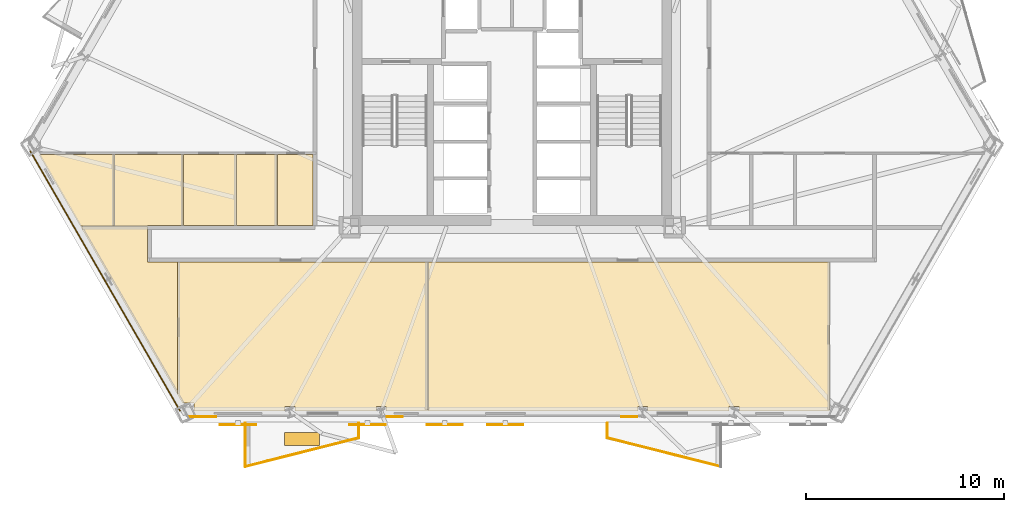
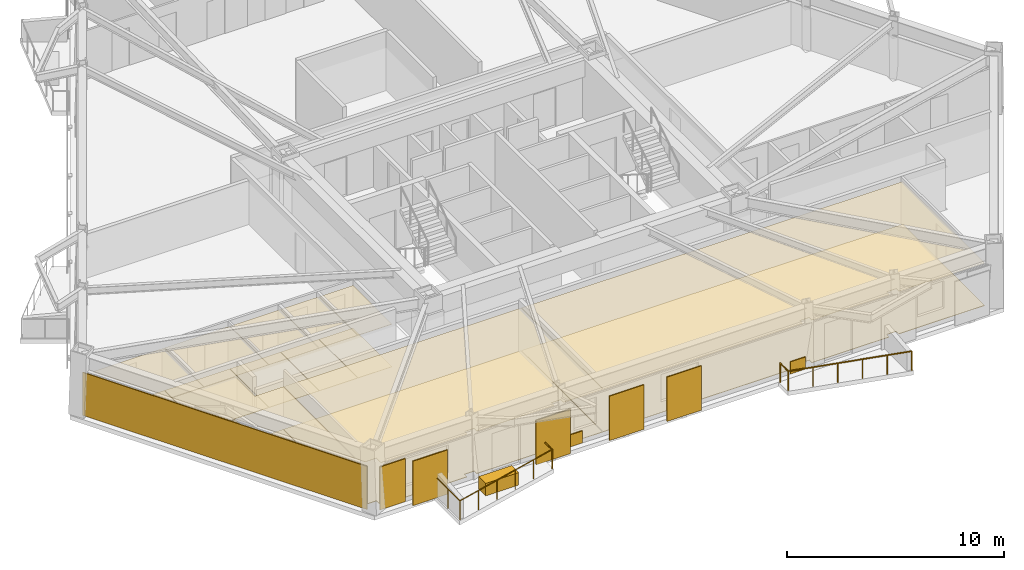
# One storey, part 7 of 12: 21 coverings, 5 railings, 4 shading devices.
"""IFC4 building model written with IfcOpenShell, lengths in metres."""

from ifc_helpers import new_model, si_unit, direction, frame, origin, origin_2d, place, context, subcontext, project, spatial, polyline, rectangle, circle, outline, extrude, material, layer, layer_set, type_object, element, save


model = new_model("IFC4")

# Units and contexts
model_context = context("Model", 3, precision=1e-05, world=origin(), true_north=direction((0.0, 1.0)))
body_context = subcontext(model_context, "Body", "Model", "MODEL_VIEW")
ifc_project = project(units=[si_unit("LENGTHUNIT", "METRE"), si_unit("AREAUNIT", "SQUARE_METRE"), si_unit("VOLUMEUNIT", "CUBIC_METRE"), si_unit("PLANEANGLEUNIT", "RADIAN"), si_unit("MASSUNIT", "GRAM", prefix="KILO")], contexts=[model_context])

# Site, building, storey
site_placement = place(None, origin())
site = spatial("IfcSite", under=ifc_project, at=site_placement, CompositionType="ELEMENT")
building_placement = place(site_placement, origin())
building = spatial("IfcBuilding", under=site, at=building_placement, Name="Oramaril Tower", CompositionType="ELEMENT")
storey_placement = place(building_placement, frame((0.0, 0.0, 34.5)))
storey = spatial("IfcBuildingStorey", under=building, at=storey_placement, Name="L08", CompositionType="ELEMENT", Elevation=34.5)

# Coverings
ifc_material_1 = material(Name="Mineral Fibre Acoustic Ceiling")
ifc_layer_1 = layer(ifc_material_1, 0.02001953125)
ifc_layer_set_1 = layer_set([ifc_layer_1], Name="CVT-CEIL")
covering_type_1 = type_object("IfcCoveringType", Name="CVT-CEIL", PredefinedType="CEILING", material=ifc_layer_set_1)
covering_1_placement = place(storey_placement, frame((0.0, 0.0, 2.39990234375)))
element("IfcCovering", 1, at=covering_1_placement, inside=storey, type_object=covering_type_1, Name="L08 Acoustic Suspended Ceiling 6", PredefinedType="CEILING", context=body_context, shape_type="SweptSolid", body=[
    extrude(outline(polyline([(31.152099609375, 1.910888671875), (30.65869140625, 1.910888671875), (30.65869140625, 1.67822265625), (26.54296875, 1.67822265625), (26.54296875, 1.910888671875), (26.03564453125, 1.910888671875), (26.03564453125, 1.67822265625), (21.4580078125, 1.67822265625), (21.4580078125, 2.09375), (20.860595703125, 2.09375), (20.627197265625, 2.498291015625), (20.627197265625, 9.199951171875), (33.241943359375, 9.199951171875), (33.241943359375, 1.67822265625), (31.152099609375, 1.67822265625), (31.152099609375, 1.910888671875)])), origin(), (0.0, 0.0, 1.0), 0.02001953125),
])
covering_2_placement = place(storey_placement, frame((0.0, 0.0, 2.39990234375)))
element("IfcCovering", 2, at=covering_2_placement, inside=storey, type_object=covering_type_1, Name="L08 Acoustic Suspended Ceiling 7", PredefinedType="CEILING", context=body_context, shape_type="SweptSolid", body=[
    extrude(outline(polyline([(15.72314453125, 10.991943359375), (19.10009765625, 10.991943359375), (19.10009765625, 9.219970703125), (19.10009765625, 9.218017578125), (19.100341796875, 9.216064453125), (19.100830078125, 9.214111328125), (19.1015625, 9.21240234375), (19.102294921875, 9.210693359375), (19.103515625, 9.208984375), (19.1044921875, 9.207275390625), (19.10595703125, 9.205810546875), (19.107421875, 9.20458984375), (19.10888671875, 9.203369140625), (19.110595703125, 9.202392578125), (19.1123046875, 9.201416015625), (19.1142578125, 9.200927734375), (19.1162109375, 9.200439453125), (19.117919921875, 9.2001953125), (19.1201171875, 9.199951171875), (20.607177734375, 9.199951171875), (20.607177734375, 2.53271484375), (15.72314453125, 10.991943359375)])), origin(), (0.0, 0.0, 1.0), 0.02001953125),
])
covering_3_placement = place(storey_placement, frame((0.0, 0.0, 2.39990234375)))
element("IfcCovering", 3, at=covering_3_placement, inside=storey, type_object=covering_type_1, Name="L08 Acoustic Suspended Ceiling 8", PredefinedType="CEILING", context=body_context, shape_type="SweptSolid", body=[
    extrude(outline(polyline([(48.96435546875, 1.67822265625), (48.96435546875, 1.910888671875), (48.45703125, 1.910888671875), (48.45703125, 1.67822265625), (44.34130859375, 1.67822265625), (44.34130859375, 1.910888671875), (43.847900390625, 1.910888671875), (43.847900390625, 1.67822265625), (33.261962890625, 1.67822265625), (33.261962890625, 9.199951171875), (53.525146484375, 9.199951171875), (53.525146484375, 1.67822265625), (48.96435546875, 1.67822265625)])), origin(), (0.0, 0.0, 1.0), 0.02001953125),
])
covering_4_placement = place(storey_placement, frame((0.0, 0.0, 2.39990234375)))
element("IfcCovering", 4, at=covering_4_placement, inside=storey, type_object=covering_type_1, Name="L08 Acoustic Suspended Ceiling 11", PredefinedType="CEILING", context=body_context, shape_type="SweptSolid", body=[
    extrude(outline(polyline([(13.70703125, 14.59423828125), (13.70703125, 14.631591796875), (17.42236328125, 14.631591796875), (17.42236328125, 11.011962890625), (15.72314453125, 11.011962890625), (15.72119140625, 11.011962890625), (15.71923828125, 11.01171875), (15.71728515625, 11.010986328125), (15.715576171875, 11.010498046875), (15.713623046875, 11.009521484375), (15.713134765625, 11.00927734375), (13.6435546875, 14.59423828125), (13.70703125, 14.59423828125)])), origin(), (0.0, 0.0, 1.0), 0.02001953125),
])
covering_5_placement = place(storey_placement, frame((0.0, 0.0, 2.39990234375)))
element("IfcCovering", 5, at=covering_5_placement, inside=storey, type_object=covering_type_1, Name="L08 Acoustic Suspended Ceiling 12", PredefinedType="CEILING", context=body_context, shape_type="SweptSolid", body=[
    extrude(outline(polyline([(20.89990234375, 11.050048828125), (19.1201171875, 11.050048828125), (19.117919921875, 11.0498046875), (19.1162109375, 11.049560546875), (19.1142578125, 11.049072265625), (19.1123046875, 11.048583984375), (19.110595703125, 11.047607421875), (19.10888671875, 11.046630859375), (19.107421875, 11.04541015625), (19.10595703125, 11.044189453125), (19.1044921875, 11.042724609375), (19.103515625, 11.041015625), (19.102294921875, 11.039306640625), (19.1015625, 11.03759765625), (19.100830078125, 11.035888671875), (19.100341796875, 11.033935546875), (19.10009765625, 11.031982421875), (19.10009765625, 11.030029296875), (19.10009765625, 11.011962890625), (17.4423828125, 11.011962890625), (17.4423828125, 14.631591796875), (20.89990234375, 14.631591796875), (20.89990234375, 11.050048828125)])), origin(), (0.0, 0.0, 1.0), 0.02001953125),
])
covering_6_placement = place(storey_placement, frame((0.0, 0.0, 2.39990234375)))
element("IfcCovering", 6, at=covering_6_placement, inside=storey, type_object=covering_type_1, Name="L08 Acoustic Suspended Ceiling 13", PredefinedType="CEILING", context=body_context, shape_type="SweptSolid", body=[
    extrude(outline(polyline([(23.58251953125, 11.050048828125), (20.919921875, 11.050048828125), (20.919921875, 14.631591796875), (23.58251953125, 14.631591796875), (23.58251953125, 11.050048828125)])), origin(), (0.0, 0.0, 1.0), 0.02001953125),
])
covering_7_placement = place(storey_placement, frame((0.0, 0.0, 2.39990234375)))
element("IfcCovering", 7, at=covering_7_placement, inside=storey, type_object=covering_type_1, Name="L08 Acoustic Suspended Ceiling 14", PredefinedType="CEILING", context=body_context, shape_type="SweptSolid", body=[
    extrude(outline(polyline([(25.632568359375, 11.050048828125), (23.6025390625, 11.050048828125), (23.6025390625, 14.631591796875), (25.632568359375, 14.631591796875), (25.632568359375, 11.050048828125)])), origin(), (0.0, 0.0, 1.0), 0.02001953125),
])
covering_8_placement = place(storey_placement, frame((0.0, 0.0, 2.39990234375)))
element("IfcCovering", 8, at=covering_8_placement, inside=storey, type_object=covering_type_1, Name="L08 Acoustic Suspended Ceiling 15", PredefinedType="CEILING", context=body_context, shape_type="SweptSolid", body=[
    extrude(outline(polyline([(25.652587890625, 14.631591796875), (27.449951171875, 14.631591796875), (27.449951171875, 11.050048828125), (25.652587890625, 11.050048828125), (25.652587890625, 14.631591796875)])), origin(), (0.0, 0.0, 1.0), 0.02001953125),
])
ifc_material_2 = material(Name="Warm Cream Limestone", Category="masonry")
ifc_layer_2 = layer(ifc_material_2, 0.050048828125)
ifc_layer_set_2 = layer_set([ifc_layer_2], Name="CVT-CLD")
covering_type_2 = type_object("IfcCoveringType", Name="CVT-CLD", PredefinedType="CLADDING", material=ifc_layer_set_2)
covering_9_placement = place(storey_placement, frame((16.962890625, 8.242919921875, 0.0400390625), z_axis=(0.0, 0.0, 1.0), x_axis=(0.4999984885, -0.866026276448, 0.0)))
element("IfcCovering", 9, at=covering_9_placement, inside=storey, type_object=covering_type_2, Name="L08 Warm Cream Limestone Cladding", PredefinedType="CLADDING", context=body_context, shape_type="SweptSolid", body=[
    extrude(rectangle(XDim=15.13232421875, YDim=0.050048828125, at=origin_2d()), origin(), (0.0, 0.0, 1.0), 2.4140625),
])
covering_10_placement = place(storey_placement, frame((21.88818359375, 1.377197265625, 0.0400390625), z_axis=(0.0, 0.0, 1.0), x_axis=(1.0, 0.0, 0.0)))
element("IfcCovering", 10, at=covering_10_placement, inside=storey, type_object=covering_type_2, Name="L08 Warm Cream Limestone Cladding", PredefinedType="CLADDING", context=body_context, shape_type="SweptSolid", body=[
    extrude(rectangle(XDim=1.35009765625, YDim=0.050048828125, at=origin_2d()), origin(), (0.0, 0.0, 1.0), 2.4140625),
])
for number, where, z_axis, x_axis, name in (
    (11, (31.57373046875, 1.377197265625, 0.0400390625), (0.0, 0.0, 1.0), (1.0, 0.0, 0.0), "L08 Warm Cream Limestone Spandrel Cladding"),
    (12, (43.42626953125, 1.377197265625, 0.0400390625), (0.0, 0.0, 1.0), (1.0, 0.0, 0.0), "L08 Warm Cream Limestone Spandrel Cladding"),
):
    element("IfcCovering", number, at=place(storey_placement, frame(where, z_axis=z_axis, x_axis=x_axis)), inside=storey, type_object=covering_type_2, Name=name, PredefinedType="CLADDING", context=body_context, shape_type="SweptSolid", body=[
        extrude(rectangle(XDim=0.800048828125, YDim=0.050048828125, at=origin_2d()), origin(), (0.0, 0.0, 1.0), 0.679931640625),
    ])
covering_11_placement = place(storey_placement, frame((26.8974609375, 0.273681640625, 0.0), z_axis=(0.0, 0.0, 1.0), x_axis=(1.0, 0.0, 0.0)))
element("IfcCovering", 13, at=covering_11_placement, inside=storey, type_object=covering_type_2, Name="L08 Structural Tree Planter Box L08-BAL-S1", PredefinedType="CLADDING", context=body_context, shape_type="SweptSolid", body=[
    extrude(rectangle(XDim=1.75, YDim=0.64990234375, at=origin_2d()), origin(), (0.0, 0.0, 1.0), 0.699951171875),
])
ifc_material_3 = material(Name="Honed Quartzite Stone Flooring", Category="masonry")
ifc_layer_3 = layer(ifc_material_3, 0.02490234375)
ifc_layer_set_3 = layer_set([ifc_layer_3], Name="CVT-FLR")
covering_type_3 = type_object("IfcCoveringType", Name="CVT-FLR", PredefinedType="FLOORING", material=ifc_layer_set_3)
covering_12_placement = place(storey_placement, origin())
element("IfcCovering", 14, at=covering_12_placement, inside=storey, type_object=covering_type_3, Name="L08 Honed Stone Floor Finish 6", PredefinedType="FLOORING", context=body_context, shape_type="SweptSolid", body=[
    extrude(outline(polyline([(31.152099609375, 1.910888671875), (30.65869140625, 1.910888671875), (30.65869140625, 1.67822265625), (26.54296875, 1.67822265625), (26.54296875, 1.910888671875), (26.03564453125, 1.910888671875), (26.03564453125, 1.67822265625), (21.4580078125, 1.67822265625), (21.4580078125, 2.09375), (20.860595703125, 2.09375), (20.627197265625, 2.498291015625), (20.627197265625, 9.199951171875), (33.241943359375, 9.199951171875), (33.241943359375, 1.67822265625), (31.152099609375, 1.67822265625), (31.152099609375, 1.910888671875)])), origin(), (0.0, 0.0, 1.0), 0.02490234375),
])
covering_13_placement = place(storey_placement, origin())
element("IfcCovering", 15, at=covering_13_placement, inside=storey, type_object=covering_type_3, Name="L08 Honed Stone Floor Finish 7", PredefinedType="FLOORING", context=body_context, shape_type="SweptSolid", body=[
    extrude(outline(polyline([(15.72314453125, 10.991943359375), (19.10009765625, 10.991943359375), (19.10009765625, 9.219970703125), (19.10009765625, 9.218017578125), (19.100341796875, 9.216064453125), (19.100830078125, 9.214111328125), (19.1015625, 9.21240234375), (19.102294921875, 9.210693359375), (19.103515625, 9.208984375), (19.1044921875, 9.207275390625), (19.10595703125, 9.205810546875), (19.107421875, 9.20458984375), (19.10888671875, 9.203369140625), (19.110595703125, 9.202392578125), (19.1123046875, 9.201416015625), (19.1142578125, 9.200927734375), (19.1162109375, 9.200439453125), (19.117919921875, 9.2001953125), (19.1201171875, 9.199951171875), (20.607177734375, 9.199951171875), (20.607177734375, 2.53271484375), (15.72314453125, 10.991943359375)])), origin(), (0.0, 0.0, 1.0), 0.02490234375),
])
covering_14_placement = place(storey_placement, origin())
element("IfcCovering", 16, at=covering_14_placement, inside=storey, type_object=covering_type_3, Name="L08 Honed Stone Floor Finish 8", PredefinedType="FLOORING", context=body_context, shape_type="SweptSolid", body=[
    extrude(outline(polyline([(48.96435546875, 1.67822265625), (48.96435546875, 1.910888671875), (48.45703125, 1.910888671875), (48.45703125, 1.67822265625), (44.34130859375, 1.67822265625), (44.34130859375, 1.910888671875), (43.847900390625, 1.910888671875), (43.847900390625, 1.67822265625), (33.261962890625, 1.67822265625), (33.261962890625, 9.199951171875), (53.525146484375, 9.199951171875), (53.525146484375, 1.67822265625), (48.96435546875, 1.67822265625)])), origin(), (0.0, 0.0, 1.0), 0.02490234375),
])
covering_15_placement = place(storey_placement, origin())
element("IfcCovering", 17, at=covering_15_placement, inside=storey, type_object=covering_type_3, Name="L08 Honed Stone Floor Finish 11", PredefinedType="FLOORING", context=body_context, shape_type="SweptSolid", body=[
    extrude(outline(polyline([(13.70703125, 14.59423828125), (13.70703125, 14.631591796875), (17.42236328125, 14.631591796875), (17.42236328125, 11.011962890625), (15.72314453125, 11.011962890625), (15.72119140625, 11.011962890625), (15.71923828125, 11.01171875), (15.71728515625, 11.010986328125), (15.715576171875, 11.010498046875), (15.713623046875, 11.009521484375), (15.713134765625, 11.00927734375), (13.6435546875, 14.59423828125), (13.70703125, 14.59423828125)])), origin(), (0.0, 0.0, 1.0), 0.02490234375),
])
covering_16_placement = place(storey_placement, origin())
element("IfcCovering", 18, at=covering_16_placement, inside=storey, type_object=covering_type_3, Name="L08 Honed Stone Floor Finish 12", PredefinedType="FLOORING", context=body_context, shape_type="SweptSolid", body=[
    extrude(outline(polyline([(20.89990234375, 11.050048828125), (19.1201171875, 11.050048828125), (19.117919921875, 11.0498046875), (19.1162109375, 11.049560546875), (19.1142578125, 11.049072265625), (19.1123046875, 11.048583984375), (19.110595703125, 11.047607421875), (19.10888671875, 11.046630859375), (19.107421875, 11.04541015625), (19.10595703125, 11.044189453125), (19.1044921875, 11.042724609375), (19.103515625, 11.041015625), (19.102294921875, 11.039306640625), (19.1015625, 11.03759765625), (19.100830078125, 11.035888671875), (19.100341796875, 11.033935546875), (19.10009765625, 11.031982421875), (19.10009765625, 11.030029296875), (19.10009765625, 11.011962890625), (17.4423828125, 11.011962890625), (17.4423828125, 14.631591796875), (20.89990234375, 14.631591796875), (20.89990234375, 11.050048828125)])), origin(), (0.0, 0.0, 1.0), 0.02490234375),
])
covering_17_placement = place(storey_placement, origin())
element("IfcCovering", 19, at=covering_17_placement, inside=storey, type_object=covering_type_3, Name="L08 Honed Stone Floor Finish 13", PredefinedType="FLOORING", context=body_context, shape_type="SweptSolid", body=[
    extrude(outline(polyline([(23.58251953125, 11.050048828125), (20.919921875, 11.050048828125), (20.919921875, 14.631591796875), (23.58251953125, 14.631591796875), (23.58251953125, 11.050048828125)])), origin(), (0.0, 0.0, 1.0), 0.02490234375),
])
covering_18_placement = place(storey_placement, origin())
element("IfcCovering", 20, at=covering_18_placement, inside=storey, type_object=covering_type_3, Name="L08 Honed Stone Floor Finish 14", PredefinedType="FLOORING", context=body_context, shape_type="SweptSolid", body=[
    extrude(outline(polyline([(25.632568359375, 11.050048828125), (23.6025390625, 11.050048828125), (23.6025390625, 14.631591796875), (25.632568359375, 14.631591796875), (25.632568359375, 11.050048828125)])), origin(), (0.0, 0.0, 1.0), 0.02490234375),
])
covering_19_placement = place(storey_placement, origin())
element("IfcCovering", 21, at=covering_19_placement, inside=storey, type_object=covering_type_3, Name="L08 Honed Stone Floor Finish 15", PredefinedType="FLOORING", context=body_context, shape_type="SweptSolid", body=[
    extrude(outline(polyline([(25.652587890625, 14.631591796875), (27.449951171875, 14.631591796875), (27.449951171875, 11.050048828125), (25.652587890625, 11.050048828125), (25.652587890625, 14.631591796875)])), origin(), (0.0, 0.0, 1.0), 0.02490234375),
])

# Railings
ifc_material_4 = material(Name="Stainless Steel 316L", Category="steel")
railing_type = type_object("IfcRailingType", Name="RLT-GRD", PredefinedType="GUARDRAIL", material=ifc_material_4)
railing_1_placement = place(storey_placement, frame((29.762451171875, 1.062255859375, 0.0)))
element("IfcRailing", 22, at=railing_1_placement, inside=storey, type_object=railing_type, Name="L08 Balcony Guardrail L08-BAL-S1.1", PredefinedType="GUARDRAIL", context=body_context, shape_type="SweptSolid", body=[
    extrude(circle(Radius=0.02392578125, at=origin_2d()), frame((0.0, 0.0, 1.076171875), z_axis=(0.0, -1.0, 0.0), x_axis=(1.0, 0.0, 0.0)), (0.0, 0.0, 1.0), 0.741943359375),
    extrude(circle(Radius=0.02099609375, at=origin_2d()), origin(), (0.0, 0.0, 1.0), 1.052001953125),
    extrude(circle(Radius=0.02099609375, at=origin_2d()), frame((0.0, -0.741943359375, 0.0)), (0.0, 0.0, 1.0), 1.052001953125),
])
railing_2_placement = place(storey_placement, frame((29.762451171875, 0.3203125, 0.0)))
element("IfcRailing", 23, at=railing_2_placement, inside=storey, type_object=railing_type, Name="L08 Balcony Guardrail L08-BAL-S1.2", PredefinedType="GUARDRAIL", context=body_context, shape_type="SweptSolid", body=[
    extrude(circle(Radius=0.02392578125, at=origin_2d()), frame((0.0, 0.0, 1.076171875), z_axis=(-0.969443611257, -0.245314256807, 0.0), x_axis=(0.245314256807, -0.969443611257, 0.0)), (0.0, 0.0, 1.0), 5.91064453125),
    extrude(circle(Radius=0.02099609375, at=origin_2d()), origin(), (0.0, 0.0, 1.0), 1.052001953125),
    extrude(circle(Radius=0.02099609375, at=origin_2d()), frame((-1.14599609375, -0.2900390625, 0.0)), (0.0, 0.0, 1.0), 1.052001953125),
    extrude(circle(Radius=0.02099609375, at=origin_2d()), frame((-2.2919921875, -0.580078125, 0.0)), (0.0, 0.0, 1.0), 1.052001953125),
    extrude(circle(Radius=0.02099609375, at=origin_2d()), frame((-3.43798828125, -0.869873046875, 0.0)), (0.0, 0.0, 1.0), 1.052001953125),
    extrude(circle(Radius=0.02099609375, at=origin_2d()), frame((-4.583984375, -1.159912109375, 0.0)), (0.0, 0.0, 1.0), 1.052001953125),
    extrude(circle(Radius=0.02099609375, at=origin_2d()), frame((-5.72998046875, -1.449951171875, 0.0)), (0.0, 0.0, 1.0), 1.052001953125),
])
railing_3_placement = place(storey_placement, frame((24.032470703125, -1.129638671875, 0.0)))
element("IfcRailing", 24, at=railing_3_placement, inside=storey, type_object=railing_type, Name="L08 Balcony Guardrail L08-BAL-S1.3", PredefinedType="GUARDRAIL", context=body_context, shape_type="SweptSolid", body=[
    extrude(circle(Radius=0.02392578125, at=origin_2d()), frame((0.0, 0.0, 1.076171875), z_axis=(0.0, 1.0, 0.0), x_axis=(-1.0, 0.0, 0.0)), (0.0, 0.0, 1.0), 2.19189453125),
    extrude(circle(Radius=0.02099609375, at=origin_2d()), origin(), (0.0, 0.0, 1.0), 1.052001953125),
    extrude(circle(Radius=0.02099609375, at=origin_2d()), frame((0.0, 1.095947265625, 0.0)), (0.0, 0.0, 1.0), 1.052001953125),
    extrude(circle(Radius=0.02099609375, at=origin_2d()), frame((0.0, 2.19189453125, 0.0)), (0.0, 0.0, 1.0), 1.052001953125),
])
railing_4_placement = place(storey_placement, frame((48.04248046875, -1.129638671875, 0.0)))
element("IfcRailing", 25, at=railing_4_placement, inside=storey, type_object=railing_type, Name="L08 Balcony Guardrail L08-BAL-S2.2", PredefinedType="GUARDRAIL", context=body_context, shape_type="SweptSolid", body=[
    extrude(circle(Radius=0.02392578125, at=origin_2d()), frame((0.0, 0.0, 1.076171875), z_axis=(-0.969443611257, 0.245314256807, 0.0), x_axis=(-0.245314256807, -0.969443611257, 0.0)), (0.0, 0.0, 1.0), 5.91064453125),
    extrude(circle(Radius=0.02099609375, at=origin_2d()), origin(), (0.0, 0.0, 1.0), 1.052001953125),
    extrude(circle(Radius=0.02099609375, at=origin_2d()), frame((-1.14599609375, 0.2900390625, 0.0)), (0.0, 0.0, 1.0), 1.052001953125),
    extrude(circle(Radius=0.02099609375, at=origin_2d()), frame((-2.2919921875, 0.580078125, 0.0)), (0.0, 0.0, 1.0), 1.052001953125),
    extrude(circle(Radius=0.02099609375, at=origin_2d()), frame((-3.43798828125, 0.869873046875, 0.0)), (0.0, 0.0, 1.0), 1.052001953125),
    extrude(circle(Radius=0.02099609375, at=origin_2d()), frame((-4.583984375, 1.159912109375, 0.0)), (0.0, 0.0, 1.0), 1.052001953125),
    extrude(circle(Radius=0.02099609375, at=origin_2d()), frame((-5.72998046875, 1.449951171875, 0.0)), (0.0, 0.0, 1.0), 1.052001953125),
])
railing_5_placement = place(storey_placement, frame((42.3125, 0.3203125, 0.0)))
element("IfcRailing", 26, at=railing_5_placement, inside=storey, type_object=railing_type, Name="L08 Balcony Guardrail L08-BAL-S2.3", PredefinedType="GUARDRAIL", context=body_context, shape_type="SweptSolid", body=[
    extrude(circle(Radius=0.02392578125, at=origin_2d()), frame((0.0, 0.0, 1.076171875), z_axis=(0.0, 1.0, 0.0), x_axis=(-1.0, 0.0, 0.0)), (0.0, 0.0, 1.0), 0.741943359375),
    extrude(circle(Radius=0.02099609375, at=origin_2d()), origin(), (0.0, 0.0, 1.0), 1.052001953125),
    extrude(circle(Radius=0.02099609375, at=origin_2d()), frame((0.0, 0.741943359375, 0.0)), (0.0, 0.0, 1.0), 1.052001953125),
])

# Shading devices
for number, where, z_axis, x_axis, name in (
    (27, (23.671142578125, 0.990234375, -0.02001953125), (0.0, 0.0, 1.0), (1.0, 0.0, 0.0), "L08 Perforated Ceramic Solar Screen"),
    (28, (30.205810546875, 0.990234375, -0.02001953125), (0.0, 0.0, 1.0), (1.0, 0.0, 0.0), "L08 Perforated Ceramic Solar Screen"),
    (29, (34.10595703125, 0.990234375, -0.02001953125), (0.0, 0.0, 1.0), (1.0, 0.0, 0.0), "L08 Perforated Ceramic Solar Screen"),
    (30, (37.163818359375, 0.990234375, -0.02001953125), (0.0, 0.0, 1.0), (1.0, 0.0, 0.0), "L08 Perforated Ceramic Solar Screen"),
):
    element("IfcShadingDevice", number, at=place(storey_placement, frame(where, z_axis=z_axis, x_axis=x_axis)), inside=storey, Name=name, ObjectType="SCREEN", PredefinedType="USERDEFINED", context=body_context, shape_type="SweptSolid", body=[
        extrude(rectangle(XDim=1.8330078125, YDim=0.050048828125, at=origin_2d()), origin(), (0.0, 0.0, 1.0), 2.493896484375),
    ])

save(model, "model.ifc")
